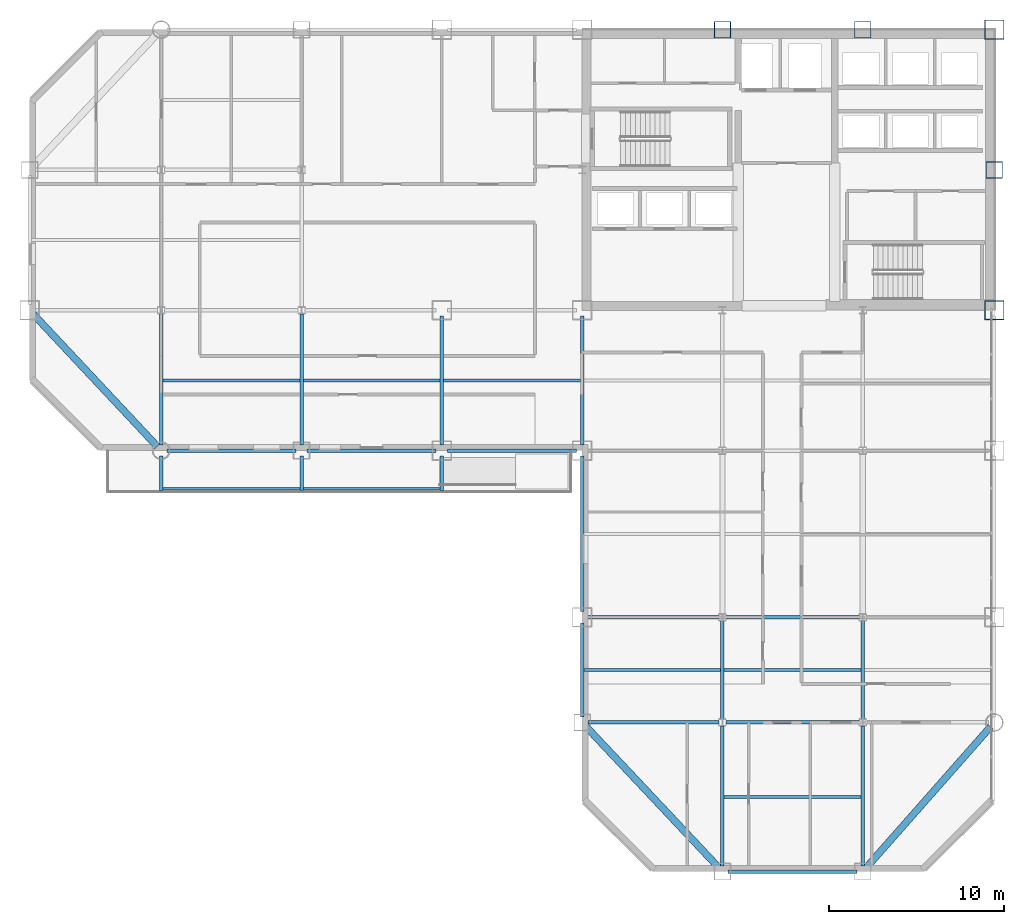
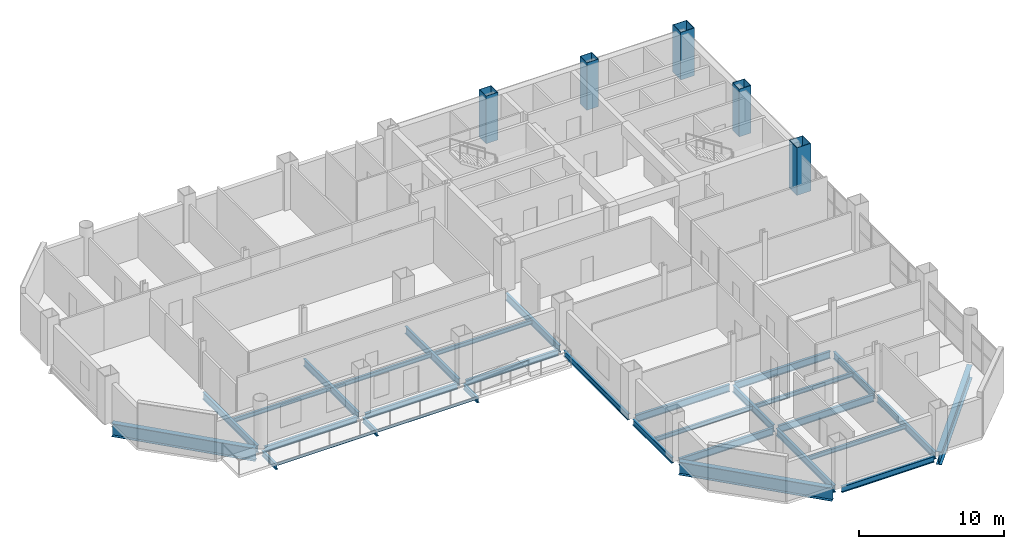
# One storey, part 4 of 16: 32 beams, 5 columns.
"""IFC4 building model written with IfcOpenShell, lengths in metres."""

from ifc_helpers import new_model, si_unit, direction, frame, origin, origin_2d, place, context, subcontext, project, spatial, hollow_rectangle, i_section, extrude, material, material_profile, profile_set, type_object, element, save


model = new_model("IFC4")

# Units and contexts
model_context = context("Model", 3, precision=1e-05, world=origin(), true_north=direction((0.0, 1.0)))
body_context = subcontext(model_context, "Body", "Model", "MODEL_VIEW")
ifc_project = project(units=[si_unit("LENGTHUNIT", "METRE"), si_unit("AREAUNIT", "SQUARE_METRE"), si_unit("VOLUMEUNIT", "CUBIC_METRE"), si_unit("PLANEANGLEUNIT", "RADIAN"), si_unit("MASSUNIT", "GRAM", prefix="KILO")], contexts=[model_context])

# Site, building, storey
site_placement = place(None, origin())
site = spatial("IfcSite", under=ifc_project, at=site_placement, CompositionType="ELEMENT")
building_placement = place(site_placement, origin())
building = spatial("IfcBuilding", under=site, at=building_placement, Name="Qianrong Seaharbour Tower", CompositionType="ELEMENT")
storey_placement = place(building_placement, frame((0.0, 0.0, 119.0)))
storey = spatial("IfcBuildingStorey", under=building, at=storey_placement, Name="L28", CompositionType="ELEMENT", Elevation=119.0)

# Columns
ifc_material_1 = material(Name="Structural steel SN490B", Category="steel")
ifc_material_profile_1 = material_profile(ifc_material_1, hollow_rectangle(XDim=1.10009765625, YDim=1.10009765625, WallThickness=0.0400390625, at=origin_2d()), Name="BOX1100x1100x40")
ifc_profile_set_1 = profile_set([ifc_material_profile_1], Name="Structural steel SN490B")
column_type_1 = type_object("IfcColumnType", Name="COL-CFT-1100", PredefinedType="COLUMN", material=ifc_profile_set_1)
for number, where, z_axis, x_axis, name in (
    (1, (64.0, 36.0, 0.0), (0.0, 0.0, 1.0), (1.0, 0.0, 0.0), "L28 Column MC-3 at G9/GF"),
    (2, (64.0, 52.0, 0.0), (0.0, 0.0, 1.0), (1.0, 0.0, 0.0), "L28 Column MC-3 at G9/GH"),
):
    element("IfcColumn", number, at=place(storey_placement, frame(where, z_axis=z_axis, x_axis=x_axis)), inside=storey, type_object=column_type_1, Name=name, PredefinedType="COLUMN", context=body_context, shape_type="SweptSolid", body=[
        extrude(hollow_rectangle(XDim=1.10009765625, YDim=1.10009765625, WallThickness=0.0400390625, at=origin_2d()), origin(), (0.0, 0.0, 1.0), 4.0),
    ])
ifc_material_profile_2 = material_profile(ifc_material_1, hollow_rectangle(XDim=0.949951171875, YDim=0.949951171875, WallThickness=0.035888671875, at=origin_2d()), Name="BOX950x950x36")
ifc_profile_set_2 = profile_set([ifc_material_profile_2], Name="Structural steel SN490B")
column_type_2 = type_object("IfcColumnType", Name="COL-PER-950", PredefinedType="COLUMN", material=ifc_profile_set_2)
for number, where, z_axis, x_axis, name in (
    (3, (48.5, 52.0, 0.0), (0.0, 0.0, 1.0), (1.0, 0.0, 0.0), "L28 Column PC-2 at G7/GH"),
    (4, (56.5, 52.0, 0.0), (0.0, 0.0, 1.0), (1.0, 0.0, 0.0), "L28 Column PC-2 at G8/GH"),
    (5, (64.0, 44.0, 0.0), (0.0, 0.0, 1.0), (1.0, 0.0, 0.0), "L28 Column PC-2 at G9/GG"),
):
    element("IfcColumn", number, at=place(storey_placement, frame(where, z_axis=z_axis, x_axis=x_axis)), inside=storey, type_object=column_type_2, Name=name, PredefinedType="COLUMN", context=body_context, shape_type="SweptSolid", body=[
        extrude(hollow_rectangle(XDim=0.949951171875, YDim=0.949951171875, WallThickness=0.035888671875, at=origin_2d()), origin(), (0.0, 0.0, 1.0), 4.0),
    ])

# Beams
ifc_material_profile_3 = material_profile(ifc_material_1, i_section(OverallWidth=0.199951171875, OverallDepth=0.60009765625, WebThickness=0.010986328125, FlangeThickness=0.01708984375, FilletRadius=0.02197265625, at=origin_2d()), Name="H600x200x11x17")
ifc_profile_set_3 = profile_set([ifc_material_profile_3], Name="Structural steel SN490B")
beam_type_1 = type_object("IfcBeamType", Name="BM-G-600", PredefinedType="BEAM", material=ifc_profile_set_3)
beam_1_placement = place(storey_placement, frame((40.820068359375, 12.5, -0.534912109375), z_axis=(1.0, 0.0, 0.0), x_axis=(0.0, 1.0, 0.0)))
element("IfcBeam", 6, at=beam_1_placement, inside=storey, type_object=beam_type_1, Name="L28 Primary Girder GC G6-G7", PredefinedType="BEAM", context=body_context, shape_type="SweptSolid", body=[
    extrude(i_section(OverallWidth=0.199951171875, OverallDepth=0.60009765625, WebThickness=0.010986328125, FlangeThickness=0.01708984375, FilletRadius=0.02197265625, at=origin_2d()), origin(), (0.0, 0.0, 1.0), 7.47998046875),
])
beam_2_placement = place(storey_placement, frame((48.699951171875, 12.5, -0.534912109375), z_axis=(1.0, 0.0, 0.0), x_axis=(0.0, 1.0, 0.0)))
element("IfcBeam", 7, at=beam_2_placement, inside=storey, type_object=beam_type_1, Name="L28 Primary Girder GC G7-G8", PredefinedType="BEAM", context=body_context, shape_type="SweptSolid", body=[
    extrude(i_section(OverallWidth=0.199951171875, OverallDepth=0.60009765625, WebThickness=0.010986328125, FlangeThickness=0.01708984375, FilletRadius=0.02197265625, at=origin_2d()), origin(), (0.0, 0.0, 1.0), 7.60009765625),
])
beam_3_placement = place(storey_placement, frame((40.820068359375, 18.5, -0.534912109375), z_axis=(1.0, 0.0, 0.0), x_axis=(0.0, 1.0, 0.0)))
element("IfcBeam", 8, at=beam_3_placement, inside=storey, type_object=beam_type_1, Name="L28 Primary Girder GD G6-G7", PredefinedType="BEAM", context=body_context, shape_type="SweptSolid", body=[
    extrude(i_section(OverallWidth=0.199951171875, OverallDepth=0.60009765625, WebThickness=0.010986328125, FlangeThickness=0.01708984375, FilletRadius=0.02197265625, at=origin_2d()), origin(), (0.0, 0.0, 1.0), 7.47998046875),
])
beam_4_placement = place(storey_placement, frame((48.699951171875, 18.5, -0.534912109375), z_axis=(1.0, 0.0, 0.0), x_axis=(0.0, 1.0, 0.0)))
element("IfcBeam", 9, at=beam_4_placement, inside=storey, type_object=beam_type_1, Name="L28 Primary Girder GD G7-G8", PredefinedType="BEAM", context=body_context, shape_type="SweptSolid", body=[
    extrude(i_section(OverallWidth=0.199951171875, OverallDepth=0.60009765625, WebThickness=0.010986328125, FlangeThickness=0.01708984375, FilletRadius=0.02197265625, at=origin_2d()), origin(), (0.0, 0.0, 1.0), 7.60009765625),
])
for number, where, z_axis, x_axis, name in (
    (10, (16.5, 28.320068359375, -0.534912109375), (0.0, 1.0, 0.0), (-1.0, 0.0, 0.0), "L28 Primary Girder G3 GE-GF"),
    (11, (24.5, 28.320068359375, -0.534912109375), (0.0, 1.0, 0.0), (-1.0, 0.0, 0.0), "L28 Primary Girder G4 GE-GF"),
):
    element("IfcBeam", number, at=place(storey_placement, frame(where, z_axis=z_axis, x_axis=x_axis)), inside=storey, type_object=beam_type_1, Name=name, PredefinedType="BEAM", context=body_context, shape_type="SweptSolid", body=[
        extrude(i_section(OverallWidth=0.199951171875, OverallDepth=0.60009765625, WebThickness=0.010986328125, FlangeThickness=0.01708984375, FilletRadius=0.02197265625, at=origin_2d()), origin(), (0.0, 0.0, 1.0), 7.47998046875),
    ])
for number, where, z_axis, x_axis, name in (
    (12, (32.5, 28.320068359375, -0.534912109375), (0.0, 1.0, 0.0), (-1.0, 0.0, 0.0), "L28 Primary Girder G5 GE-GF"),
    (13, (40.5, 28.320068359375, -0.534912109375), (0.0, 1.0, 0.0), (-1.0, 0.0, 0.0), "L28 Primary Girder G6 GE-GF"),
):
    element("IfcBeam", number, at=place(storey_placement, frame(where, z_axis=z_axis, x_axis=x_axis)), inside=storey, type_object=beam_type_1, Name=name, PredefinedType="BEAM", context=body_context, shape_type="SweptSolid", body=[
        extrude(i_section(OverallWidth=0.199951171875, OverallDepth=0.60009765625, WebThickness=0.010986328125, FlangeThickness=0.01708984375, FilletRadius=0.02197265625, at=origin_2d()), origin(), (0.0, 0.0, 1.0), 7.35986328125),
    ])
beam_5_placement = place(storey_placement, frame((48.5, 4.320068359375, -0.534912109375), z_axis=(0.0, 1.0, 0.0), x_axis=(-1.0, 0.0, 0.0)))
element("IfcBeam", 14, at=beam_5_placement, inside=storey, type_object=beam_type_1, Name="L28 Primary Girder G7 GB-GC", PredefinedType="BEAM", context=body_context, shape_type="SweptSolid", body=[
    extrude(i_section(OverallWidth=0.199951171875, OverallDepth=0.60009765625, WebThickness=0.010986328125, FlangeThickness=0.01708984375, FilletRadius=0.02197265625, at=origin_2d()), origin(), (0.0, 0.0, 1.0), 7.97998046875),
])
beam_6_placement = place(storey_placement, frame((48.5, 12.699951171875, -0.534912109375), z_axis=(0.0, 1.0, 0.0), x_axis=(-1.0, 0.0, 0.0)))
element("IfcBeam", 15, at=beam_6_placement, inside=storey, type_object=beam_type_1, Name="L28 Primary Girder G7 GC-GD", PredefinedType="BEAM", context=body_context, shape_type="SweptSolid", body=[
    extrude(i_section(OverallWidth=0.199951171875, OverallDepth=0.60009765625, WebThickness=0.010986328125, FlangeThickness=0.01708984375, FilletRadius=0.02197265625, at=origin_2d()), origin(), (0.0, 0.0, 1.0), 5.60009765625),
])
beam_7_placement = place(storey_placement, frame((56.5, 4.320068359375, -0.534912109375), z_axis=(0.0, 1.0, 0.0), x_axis=(-1.0, 0.0, 0.0)))
element("IfcBeam", 16, at=beam_7_placement, inside=storey, type_object=beam_type_1, Name="L28 Primary Girder G8 GB-GC", PredefinedType="BEAM", context=body_context, shape_type="SweptSolid", body=[
    extrude(i_section(OverallWidth=0.199951171875, OverallDepth=0.60009765625, WebThickness=0.010986328125, FlangeThickness=0.01708984375, FilletRadius=0.02197265625, at=origin_2d()), origin(), (0.0, 0.0, 1.0), 7.97998046875),
])
beam_8_placement = place(storey_placement, frame((56.5, 12.699951171875, -0.534912109375), z_axis=(0.0, 1.0, 0.0), x_axis=(-1.0, 0.0, 0.0)))
element("IfcBeam", 17, at=beam_8_placement, inside=storey, type_object=beam_type_1, Name="L28 Primary Girder G8 GC-GD", PredefinedType="BEAM", context=body_context, shape_type="SweptSolid", body=[
    extrude(i_section(OverallWidth=0.199951171875, OverallDepth=0.60009765625, WebThickness=0.010986328125, FlangeThickness=0.01708984375, FilletRadius=0.02197265625, at=origin_2d()), origin(), (0.0, 0.0, 1.0), 5.60009765625),
])
ifc_material_2 = material(Name="Structural steel SN400B", Category="steel")
ifc_material_profile_4 = material_profile(ifc_material_2, i_section(OverallWidth=0.175048828125, OverallDepth=0.35009765625, WebThickness=0.007080078125, FlangeThickness=0.010986328125, FilletRadius=0.013916015625, at=origin_2d()), Name="H350x175x7x11")
ifc_profile_set_4 = profile_set([ifc_material_profile_4], Name="Structural steel SN400B")
beam_type_2 = type_object("IfcBeamType", Name="BM-J-350", PredefinedType="JOIST", material=ifc_profile_set_4)
for number, where, z_axis, x_axis, name in (
    (18, (16.60009765625, 32.0, -0.409912109375), (1.0, 0.0, 0.0), (0.0, 1.0, 0.0), "L28 Composite Floor Joist G3-G4/GE-GF"),
    (19, (24.60009765625, 32.0, -0.409912109375), (1.0, 0.0, 0.0), (0.0, 1.0, 0.0), "L28 Composite Floor Joist G4-G5/GE-GF"),
    (20, (32.60009765625, 32.0, -0.409912109375), (1.0, 0.0, 0.0), (0.0, 1.0, 0.0), "L28 Composite Floor Joist G5-G6/GE-GF"),
    (21, (40.60009765625, 15.5, -0.409912109375), (1.0, 0.0, 0.0), (0.0, 1.0, 0.0), "L28 Composite Floor Joist G6-G7/GC-GD"),
    (22, (48.60009765625, 8.25, -0.409912109375), (1.0, 0.0, 0.0), (0.0, 1.0, 0.0), "L28 Composite Floor Joist G7-G8/GB-GC"),
    (23, (48.60009765625, 15.5, -0.409912109375), (1.0, 0.0, 0.0), (0.0, 1.0, 0.0), "L28 Composite Floor Joist G7-G8/GC-GD"),
):
    element("IfcBeam", number, at=place(storey_placement, frame(where, z_axis=z_axis, x_axis=x_axis)), inside=storey, type_object=beam_type_2, Name=name, PredefinedType="JOIST", context=body_context, shape_type="SweptSolid", body=[
        extrude(i_section(OverallWidth=0.175048828125, OverallDepth=0.35009765625, WebThickness=0.007080078125, FlangeThickness=0.010986328125, FilletRadius=0.013916015625, at=origin_2d()), origin(), (0.0, 0.0, 1.0), 7.7998046875),
    ])
ifc_material_profile_5 = material_profile(ifc_material_2, i_section(OverallWidth=0.10009765625, OverallDepth=0.199951171875, WebThickness=0.005615234375, FlangeThickness=0.008056640625, FilletRadius=0.010986328125, at=origin_2d()), Name="H200x100x5.5x8")
ifc_profile_set_5 = profile_set([ifc_material_profile_5], Name="Structural steel SN400B")
beam_type_3 = type_object("IfcBeamType", Name="BM-PURLIN-200", PredefinedType="JOIST", material=ifc_profile_set_5)
for number, where, z_axis, x_axis, name in (
    (24, (16.60009765625, 25.840087890625, -0.3349609375), (1.0, 0.0, 0.0), (0.0, 1.0, 0.0), "L28 Harbourfront Ribbon Edge Beam G4"),
    (25, (24.60009765625, 25.840087890625, -0.3349609375), (1.0, 0.0, 0.0), (0.0, 1.0, 0.0), "L28 Harbourfront Ribbon Edge Beam G5"),
):
    element("IfcBeam", number, at=place(storey_placement, frame(where, z_axis=z_axis, x_axis=x_axis)), inside=storey, type_object=beam_type_3, Name=name, PredefinedType="JOIST", context=body_context, shape_type="SweptSolid", body=[
        extrude(i_section(OverallWidth=0.10009765625, OverallDepth=0.199951171875, WebThickness=0.005615234375, FlangeThickness=0.008056640625, FilletRadius=0.010986328125, at=origin_2d()), origin(), (0.0, 0.0, 1.0), 7.7998046875),
    ])
ifc_material_profile_6 = material_profile(ifc_material_1, i_section(OverallWidth=0.199951171875, OverallDepth=0.449951171875, WebThickness=0.009033203125, FlangeThickness=0.013916015625, FilletRadius=0.01806640625, at=origin_2d()), Name="H450x200x9x14")
ifc_profile_set_6 = profile_set([ifc_material_profile_6], Name="Structural steel SN490B")
beam_type_4 = type_object("IfcBeamType", Name="BM-RIB-450", PredefinedType="BEAM", material=ifc_profile_set_6)
for number, where, z_axis, x_axis, name in (
    (26, (16.5, 27.699951171875, -0.4599609375), (0.0, -1.0, 0.0), (1.0, 0.0, 0.0), "L28 Harbourfront Ribbon Cantilever Bracket G3"),
    (27, (24.5, 27.699951171875, -0.4599609375), (0.0, -1.0, 0.0), (1.0, 0.0, 0.0), "L28 Harbourfront Ribbon Cantilever Bracket G4"),
    (28, (32.5, 27.699951171875, -0.4599609375), (0.0, -1.0, 0.0), (1.0, 0.0, 0.0), "L28 Harbourfront Ribbon Cantilever Bracket G5"),
):
    element("IfcBeam", number, at=place(storey_placement, frame(where, z_axis=z_axis, x_axis=x_axis)), inside=storey, type_object=beam_type_4, Name=name, PredefinedType="BEAM", context=body_context, shape_type="SweptSolid", body=[
        extrude(i_section(OverallWidth=0.199951171875, OverallDepth=0.449951171875, WebThickness=0.009033203125, FlangeThickness=0.013916015625, FilletRadius=0.01806640625, at=origin_2d()), origin(), (0.0, 0.0, 1.0), 1.97998046875),
    ])
ifc_material_profile_7 = material_profile(ifc_material_1, i_section(OverallWidth=0.199951171875, OverallDepth=0.5, WebThickness=0.010009765625, FlangeThickness=0.01611328125, FilletRadius=0.02001953125, at=origin_2d()), Name="H500x200x10x16")
ifc_profile_set_7 = profile_set([ifc_material_profile_7], Name="Structural steel SN490B")
beam_type_5 = type_object("IfcBeamType", Name="BM-SP-500", PredefinedType="SPANDREL", material=ifc_profile_set_7)
for number, where, z_axis, x_axis, name in (
    (29, (48.820068359375, 4.0, -0.485107421875), (1.0, 0.0, 0.0), (0.0, 1.0, 0.0), "L28 Spandrel Girder GB G7-G8"),
    (30, (16.820068359375, 28.0, -0.485107421875), (1.0, 0.0, 0.0), (0.0, 1.0, 0.0), "L28 Spandrel Girder GE G3-G4"),
    (31, (24.820068359375, 28.0, -0.485107421875), (1.0, 0.0, 0.0), (0.0, 1.0, 0.0), "L28 Spandrel Girder GE G4-G5"),
    (32, (32.820068359375, 28.0, -0.485107421875), (1.0, 0.0, 0.0), (0.0, 1.0, 0.0), "L28 Spandrel Girder GE G5-G6"),
):
    element("IfcBeam", number, at=place(storey_placement, frame(where, z_axis=z_axis, x_axis=x_axis)), inside=storey, type_object=beam_type_5, Name=name, PredefinedType="SPANDREL", context=body_context, shape_type="SweptSolid", body=[
        extrude(i_section(OverallWidth=0.199951171875, OverallDepth=0.5, WebThickness=0.010009765625, FlangeThickness=0.01611328125, FilletRadius=0.02001953125, at=origin_2d()), origin(), (0.0, 0.0, 1.0), 7.35986328125),
    ])
beam_9_placement = place(storey_placement, frame((40.5, 12.820068359375, -0.485107421875), z_axis=(0.0, 1.0, 0.0), x_axis=(-1.0, 0.0, 0.0)))
element("IfcBeam", 33, at=beam_9_placement, inside=storey, type_object=beam_type_5, Name="L28 Spandrel Girder G6 GC-GD", PredefinedType="SPANDREL", context=body_context, shape_type="SweptSolid", body=[
    extrude(i_section(OverallWidth=0.199951171875, OverallDepth=0.5, WebThickness=0.010009765625, FlangeThickness=0.01611328125, FilletRadius=0.02001953125, at=origin_2d()), origin(), (0.0, 0.0, 1.0), 5.35986328125),
])
beam_10_placement = place(storey_placement, frame((40.5, 18.820068359375, -0.485107421875), z_axis=(0.0, 1.0, 0.0), x_axis=(-1.0, 0.0, 0.0)))
element("IfcBeam", 34, at=beam_10_placement, inside=storey, type_object=beam_type_5, Name="L28 Spandrel Girder G6 GD-GE", PredefinedType="SPANDREL", context=body_context, shape_type="SweptSolid", body=[
    extrude(i_section(OverallWidth=0.199951171875, OverallDepth=0.5, WebThickness=0.010009765625, FlangeThickness=0.01611328125, FilletRadius=0.02001953125, at=origin_2d()), origin(), (0.0, 0.0, 1.0), 8.85986328125),
])
ifc_material_profile_8 = material_profile(ifc_material_1, i_section(OverallWidth=0.39990234375, OverallDepth=1.10009765625, WebThickness=0.02001953125, FlangeThickness=0.035888671875, at=origin_2d()), Name="BH1100x400x20x36")
ifc_profile_set_8 = profile_set([ifc_material_profile_8], Name="Structural steel SN490B")
beam_type_6 = type_object("IfcBeamType", Name="BM-TG-1100", PredefinedType="BEAM", material=ifc_profile_set_8)
beam_11_placement = place(storey_placement, frame((16.28125, 28.2333984375, -0.784912109375), z_axis=(-0.683947420573, 0.729531305628, 0.0), x_axis=(-0.729531305628, -0.683947420573, 0.0)))
element("IfcBeam", 35, at=beam_11_placement, inside=storey, type_object=beam_type_6, Name="L28 Chamfer Corner Spandrel Girder G2/GE", PredefinedType="BEAM", context=body_context, shape_type="SweptSolid", body=[
    extrude(i_section(OverallWidth=0.39990234375, OverallDepth=1.10009765625, WebThickness=0.02001953125, FlangeThickness=0.035888671875, at=origin_2d()), origin(), (0.0, 0.0, 1.0), 10.326171875),
])
beam_12_placement = place(storey_placement, frame((48.28076171875, 4.23291015625, -0.784912109375), z_axis=(-0.685361938021, 0.728202591256, 0.0), x_axis=(-0.728202591256, -0.685361938021, 0.0)))
element("IfcBeam", 36, at=beam_12_placement, inside=storey, type_object=beam_type_6, Name="L28 Chamfer Corner Spandrel Girder G6/GB", PredefinedType="BEAM", context=body_context, shape_type="SweptSolid", body=[
    extrude(i_section(OverallWidth=0.39990234375, OverallDepth=1.10009765625, WebThickness=0.02001953125, FlangeThickness=0.035888671875, at=origin_2d()), origin(), (0.0, 0.0, 1.0), 11.032958984375),
])
beam_13_placement = place(storey_placement, frame((56.711669921875, 4.239990234375, -0.784912109375), z_axis=(0.661630696334, 0.749829861815, 0.0), x_axis=(-0.749829861815, 0.661630696334, 0.0)))
element("IfcBeam", 37, at=beam_13_placement, inside=storey, type_object=beam_type_6, Name="L28 Chamfer Corner Spandrel Girder G9/GB", PredefinedType="BEAM", context=body_context, shape_type="SweptSolid", body=[
    extrude(i_section(OverallWidth=0.39990234375, OverallDepth=1.10009765625, WebThickness=0.02001953125, FlangeThickness=0.035888671875, at=origin_2d()), origin(), (0.0, 0.0, 1.0), 10.69580078125),
])

save(model, "model.ifc")
